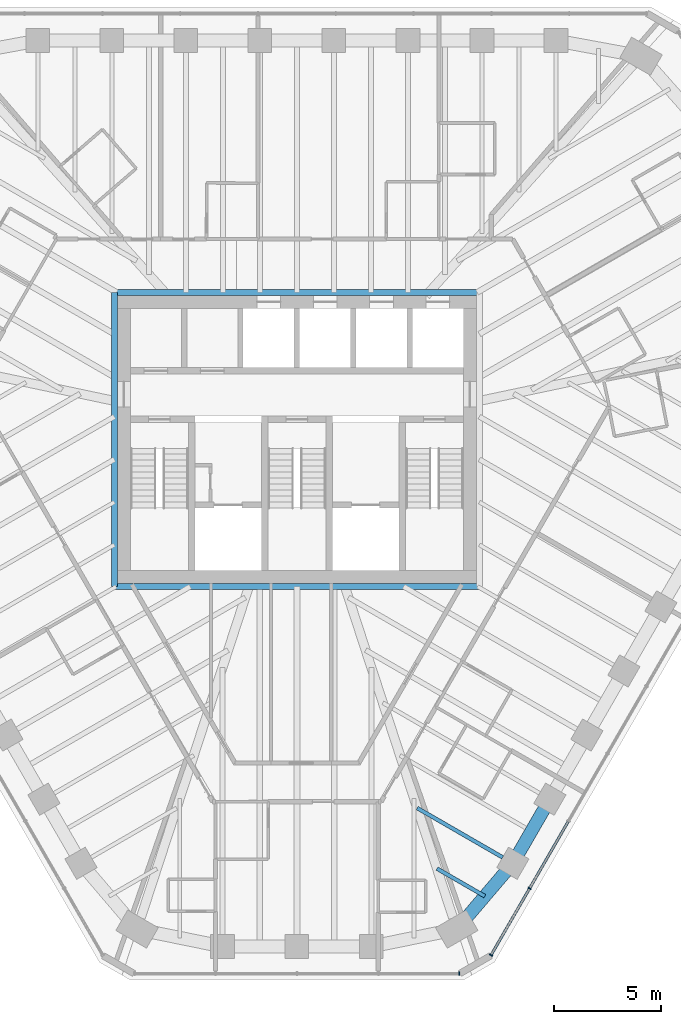
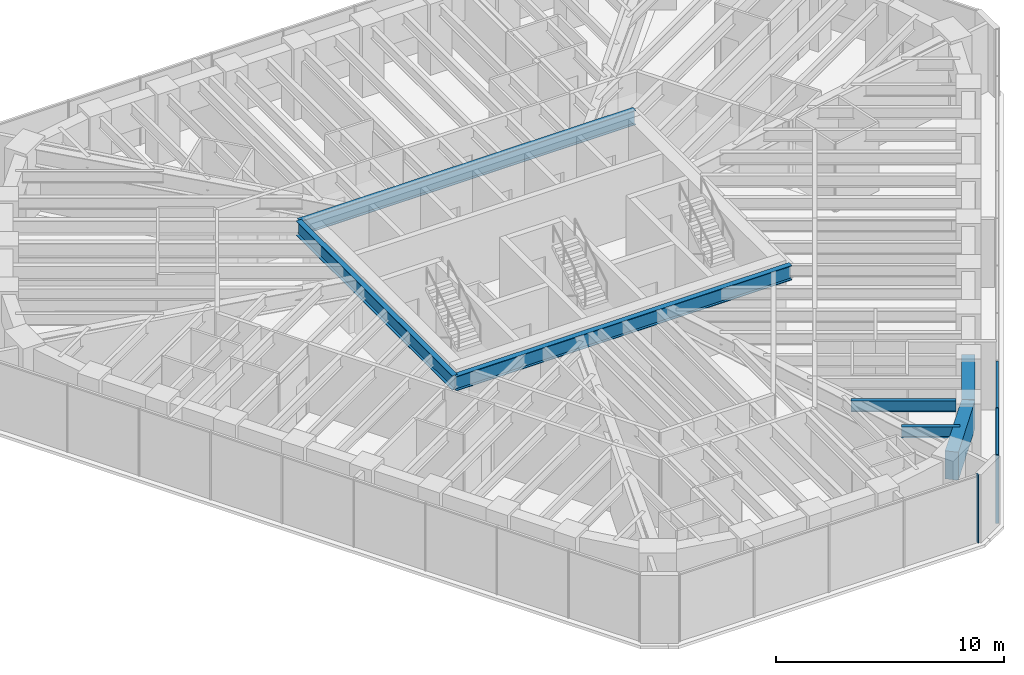
# One storey, part 4 of 14: 7 beams, 5 members, 2 elements without a shape of their own.
"""IFC4 building model written with IfcOpenShell, lengths in metres."""

from ifc_helpers import new_model, si_unit, direction, frame, origin, origin_2d, place, context, subcontext, project, spatial, rectangle, i_section, extrude, material, material_profile, profile_set, type_object, element, aggregate, save


model = new_model("IFC4")

# Units and contexts
model_context = context("Model", 3, precision=1e-05, world=origin(), true_north=direction((0.0, 1.0)))
body_context = subcontext(model_context, "Body", "Model", "MODEL_VIEW")
ifc_project = project(units=[si_unit("LENGTHUNIT", "METRE"), si_unit("AREAUNIT", "SQUARE_METRE"), si_unit("VOLUMEUNIT", "CUBIC_METRE"), si_unit("PLANEANGLEUNIT", "RADIAN"), si_unit("MASSUNIT", "GRAM", prefix="KILO")], contexts=[model_context])

# Site, building, storey
site_placement = place(None, origin())
site = spatial("IfcSite", under=ifc_project, at=site_placement, CompositionType="ELEMENT")
building_placement = place(site_placement, origin())
building = spatial("IfcBuilding", under=site, at=building_placement, Name="Sandreach Pilgrim Tower", CompositionType="ELEMENT")
storey_placement = place(building_placement, frame((0.0, 0.0, 268.39990234375)))
storey = spatial("IfcBuildingStorey", under=building, at=storey_placement, Name="L67", CompositionType="ELEMENT", Elevation=268.39990234375)

# Curtain wall, members
ifc_material_1 = material(Name="Aluminium framed curtain wall", Category="aluminium")
curtain_wall_type = type_object("IfcCurtainWallType", Name="Suite tower curtain wall", PredefinedType="NOTDEFINED", material=ifc_material_1)
curtain_wall_1_placement = place(storey_placement, origin())
curtain_wall_1 = element("IfcCurtainWall", 1, at=curtain_wall_1_placement, inside=storey, type_object=curtain_wall_type, Name="CW-4 L67 SE", PredefinedType="NOTDEFINED")
ifc_material_2 = material(Name="Aluminium extrusion", Category="aluminium")
ifc_material_profile_1 = material_profile(ifc_material_2, rectangle(XDim=0.06005859375, YDim=0.159912109375, at=origin_2d()), Name="CW-4M 60X160")
ifc_profile_set_1 = profile_set([ifc_material_profile_1], Name="Aluminium extrusion")
member_type_1 = type_object("IfcMemberType", Name="CW-4 mullion", PredefinedType="MULLION", material=ifc_profile_set_1)
member_1_placement = place(storey_placement, frame((10.83203125, -20.891357421875, 0.0), z_axis=(0.0, 0.0, 1.0), x_axis=(-0.5, -0.866025403784, 0.0)))
member_1 = element("IfcMember", 2, at=member_1_placement, type_object=member_type_1, Name="CW-4 mullion 9", PredefinedType="MULLION", context=body_context, shape_type="SweptSolid", body=[
    extrude(rectangle(XDim=0.06005859375, YDim=0.159912109375, at=origin_2d()), origin(), (0.0, 0.0, 1.0), 3.64013671875),
])
member_2_placement = place(storey_placement, frame((9.035888671875, -24.001953125, 0.0), z_axis=(0.0, 0.0, 1.0), x_axis=(-0.5, -0.866025403784, 0.0)))
member_2 = element("IfcMember", 3, at=member_2_placement, type_object=member_type_1, Name="CW-4 mullion 10", PredefinedType="MULLION", context=body_context, shape_type="SweptSolid", body=[
    extrude(rectangle(XDim=0.06005859375, YDim=0.159912109375, at=origin_2d()), origin(), (0.0, 0.0, 1.0), 3.64013671875),
])

# Curtain wall, member
curtain_wall_2_placement = place(storey_placement, origin())
curtain_wall_2 = element("IfcCurtainWall", 4, at=curtain_wall_2_placement, inside=storey, type_object=curtain_wall_type, Name="CW-4 L67 S", PredefinedType="NOTDEFINED")
member_3_placement = place(storey_placement, frame((7.553466796875, -24.858154296875, 0.0), z_axis=(0.0, 0.0, 1.0), x_axis=(-1.0, 0.0, 0.0)))
member_3 = element("IfcMember", 5, at=member_3_placement, type_object=member_type_1, Name="CW-4 mullion 1", PredefinedType="MULLION", context=body_context, shape_type="SweptSolid", body=[
    extrude(rectangle(XDim=0.06005859375, YDim=0.159912109375, at=origin_2d()), origin(), (0.0, 0.0, 1.0), 3.64013671875),
])
aggregate(curtain_wall_2, [member_3])

# Member
ifc_material_3 = material(Name="Aluminium extrusion", Category="aluminium")
ifc_material_profile_2 = material_profile(ifc_material_3, rectangle(XDim=0.1201171875, YDim=0.070068359375, at=origin_2d()), Name="CW-4T 120X70")
ifc_profile_set_2 = profile_set([ifc_material_profile_2], Name="Aluminium extrusion")
member_type_2 = type_object("IfcMemberType", Name="CW-4 transom", PredefinedType="USERDEFINED", material=ifc_profile_set_2)
member_4_placement = place(storey_placement, frame((12.6279296875, -17.78076171875, 3.60498046875), z_axis=(-0.500009219579, -0.866020080793, 0.0), x_axis=(0.866020080793, -0.500009219579, 0.0)))
member_4 = element("IfcMember", 6, at=member_4_placement, type_object=member_type_2, Name="CW-4 head transom 8", ObjectType="TRANSOM", PredefinedType="USERDEFINED", context=body_context, shape_type="SweptSolid", body=[
    extrude(rectangle(XDim=0.1201171875, YDim=0.070068359375, at=origin_2d()), origin(), (0.0, 0.0, 1.0), 3.56201171875),
])

member_5_placement = place(storey_placement, frame((10.81689453125, -20.91748046875, 3.60498046875), z_axis=(-0.499997709859, -0.866026725994, 0.0), x_axis=(0.866026725994, -0.499997709859, 0.0)))
member_5 = element("IfcMember", 7, at=member_5_placement, type_object=member_type_2, Name="CW-4 head transom 9", ObjectType="TRANSOM", PredefinedType="USERDEFINED", context=body_context, shape_type="SweptSolid", body=[
    extrude(rectangle(XDim=0.1201171875, YDim=0.070068359375, at=origin_2d()), origin(), (0.0, 0.0, 1.0), 3.53173828125),
])

aggregate(curtain_wall_1, [member_1, member_2, member_4, member_5])

# Beams
ifc_material_4 = material(Name="Steel ASTM A992 Grade 50", Category="steel")
ifc_material_profile_3 = material_profile(ifc_material_4, i_section(OverallWidth=0.2666015625, OverallDepth=0.77978515625, WebThickness=0.0166015625, FlangeThickness=0.030029296875, at=origin_2d()), Name="W30X148")
ifc_profile_set_3 = profile_set([ifc_material_profile_3], Name="Steel ASTM A992 Grade 50")
beam_type_1 = type_object("IfcBeamType", Name="Core edge beam W30X148", PredefinedType="BEAM", material=ifc_profile_set_3)
for number, where, z_axis, x_axis, name in (
    (8, (-8.493408203125, 6.84326171875, 3.250244140625), (1.0, 0.0, 0.0), (0.0, 1.0, 0.0), "BM L67 CEN"),
    (9, (8.493408203125, -6.84326171875, 3.250244140625), (-1.0, 0.0, 0.0), (0.0, -1.0, 0.0), "BM L67 CES"),
):
    element("IfcBeam", number, at=place(storey_placement, frame(where, z_axis=z_axis, x_axis=x_axis)), inside=storey, type_object=beam_type_1, Name=name, PredefinedType="BEAM", context=body_context, shape_type="SweptSolid", body=[
        extrude(i_section(OverallWidth=0.2666015625, OverallDepth=0.77978515625, WebThickness=0.0166015625, FlangeThickness=0.030029296875, at=origin_2d()), origin(), (0.0, 0.0, 1.0), 16.98681640625),
    ])
beam_1_placement = place(storey_placement, frame((-8.493408203125, -6.84326171875, 3.250244140625), z_axis=(0.0, 1.0, 0.0), x_axis=(-1.0, 0.0, 0.0)))
element("IfcBeam", 10, at=beam_1_placement, inside=storey, type_object=beam_type_1, Name="BM L67 CEW", PredefinedType="BEAM", context=body_context, shape_type="SweptSolid", body=[
    extrude(i_section(OverallWidth=0.2666015625, OverallDepth=0.77978515625, WebThickness=0.0166015625, FlangeThickness=0.030029296875, at=origin_2d()), origin(), (0.0, 0.0, 1.0), 13.6865234375),
])
ifc_material_5 = material(Name="Steel ASTM A992 Grade 50", Category="steel")
ifc_material_profile_4 = material_profile(ifc_material_5, i_section(OverallWidth=0.1787109375, OverallDepth=0.60205078125, WebThickness=0.010986328125, FlangeThickness=0.014892578125, at=origin_2d()), Name="W24X62")
ifc_profile_set_4 = profile_set([ifc_material_profile_4], Name="Steel ASTM A992 Grade 50")
beam_type_2 = type_object("IfcBeamType", Name="Floor beam W24X62", PredefinedType="BEAM", material=ifc_profile_set_4)
beam_2_placement = place(storey_placement, frame((9.573974609375, -19.450439453125, 3.339111328125), z_axis=(-0.866024320471, 0.50000187635, 0.0), x_axis=(-0.50000187635, -0.866024320471, 0.0)))
element("IfcBeam", 11, at=beam_2_placement, inside=storey, type_object=beam_type_2, Name="BM L67 F21", PredefinedType="BEAM", context=body_context, shape_type="SweptSolid", body=[
    extrude(i_section(OverallWidth=0.1787109375, OverallDepth=0.60205078125, WebThickness=0.010986328125, FlangeThickness=0.014892578125, at=origin_2d()), origin(), (0.0, 0.0, 1.0), 4.58837890625),
])
beam_3_placement = place(storey_placement, frame((8.74462890625, -21.25732421875, 3.339111328125), z_axis=(-0.866041575714, 0.49997198835, 0.0), x_axis=(-0.49997198835, -0.866041575714, 0.0)))
element("IfcBeam", 12, at=beam_3_placement, inside=storey, type_object=beam_type_2, Name="BM L67 FM21", PredefinedType="BEAM", context=body_context, shape_type="SweptSolid", body=[
    extrude(i_section(OverallWidth=0.1787109375, OverallDepth=0.60205078125, WebThickness=0.010986328125, FlangeThickness=0.014892578125, at=origin_2d()), origin(), (0.0, 0.0, 1.0), 2.569091796875),
])
ifc_material_6 = material(Name="Concrete 10000 psi", Category="concrete")
ifc_material_profile_5 = material_profile(ifc_material_6, rectangle(XDim=0.60009765625, YDim=1.5, at=origin_2d()), Name="RC600X1500")
ifc_profile_set_5 = profile_set([ifc_material_profile_5], Name="Concrete 10000 psi")
beam_type_3 = type_object("IfcBeamType", Name="Spandrel beam RC600X1500", PredefinedType="SPANDREL", material=ifc_profile_set_5)
beam_4_placement = place(storey_placement, frame((11.772705078125, -16.741943359375, 2.89013671875), z_axis=(-0.499988291006, -0.866032163869, 0.0), x_axis=(0.866032163869, -0.499988291006, 0.0)))
element("IfcBeam", 13, at=beam_4_placement, inside=storey, type_object=beam_type_3, Name="BM L67 SP20", PredefinedType="SPANDREL", context=body_context, shape_type="SweptSolid", body=[
    extrude(rectangle(XDim=0.60009765625, YDim=1.5, at=origin_2d()), origin(), (0.0, 0.0, 1.0), 3.44482421875),
])
beam_5_placement = place(storey_placement, frame((10.05029296875, -19.725341796875, 2.89013671875), z_axis=(-0.648586192707, -0.761141215958, 0.0), x_axis=(0.761141215958, -0.648586192707, 0.0)))
element("IfcBeam", 14, at=beam_5_placement, inside=storey, type_object=beam_type_3, Name="BM L67 SP21", PredefinedType="SPANDREL", context=body_context, shape_type="SweptSolid", body=[
    extrude(rectangle(XDim=0.60009765625, YDim=1.5, at=origin_2d()), origin(), (0.0, 0.0, 1.0), 4.02587890625),
])

save(model, "model.ifc")
